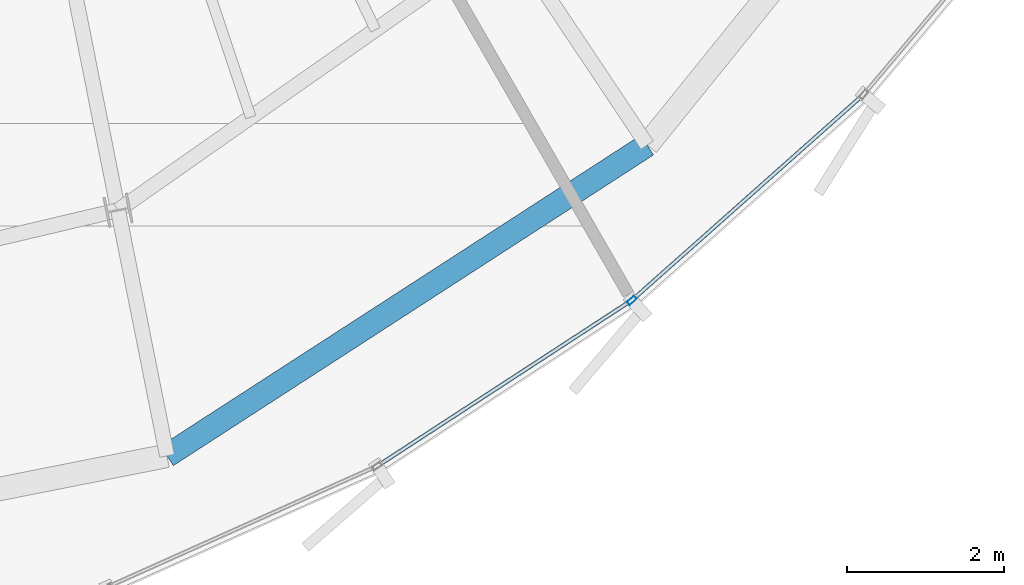
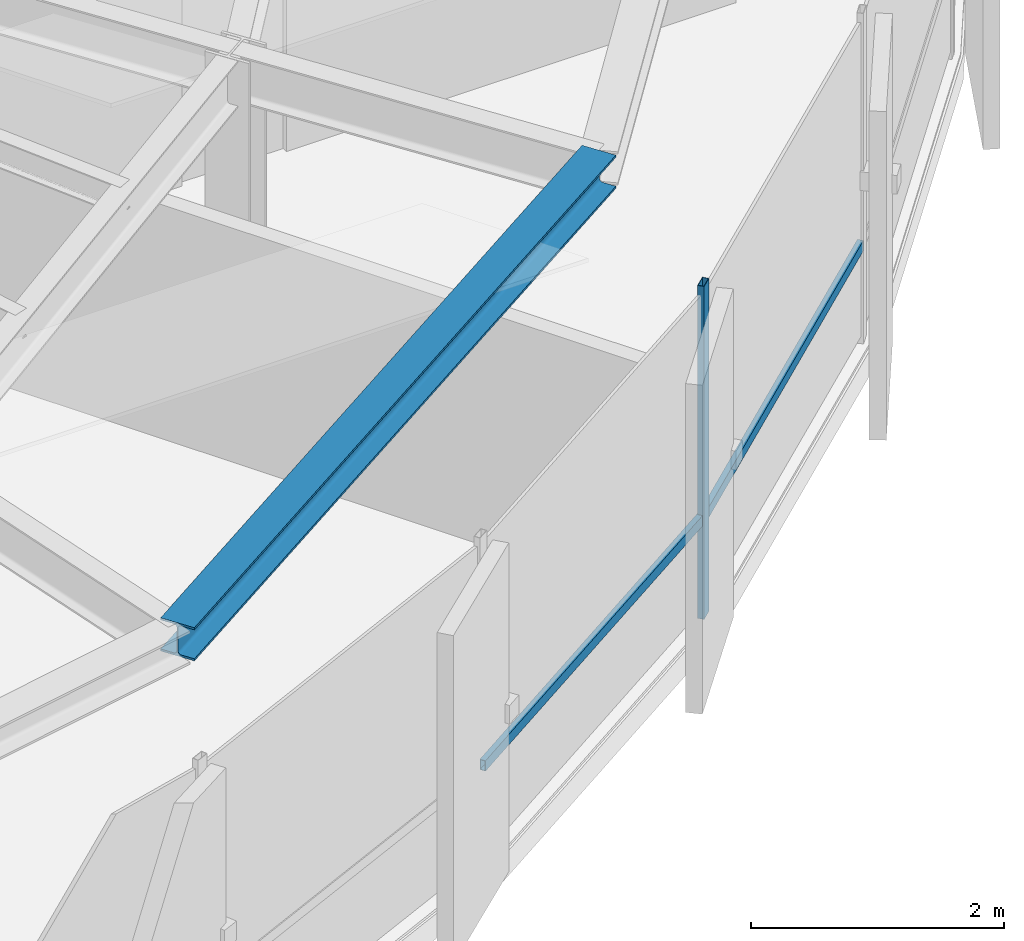
# One storey, part 7 of 32: 3 members, 1 beam, 1 element without a shape of its own.
"""IFC4 building model written with IfcOpenShell, lengths in metres."""

from ifc_helpers import new_model, si_unit, direction, frame, origin, origin_2d, place, context, subcontext, project, spatial, hollow_rectangle, i_section, extrude, source, transform, mapped, material, layer, layer_set, material_profile, profile_set, type_object, element, aggregate, save


model = new_model("IFC4")

# Units and contexts
model_context = context("Model", 3, precision=1e-05, world=origin(), true_north=direction((0.0, 1.0)))
body_context = subcontext(model_context, "Body", "Model", "MODEL_VIEW")
ifc_project = project(units=[si_unit("LENGTHUNIT", "METRE"), si_unit("AREAUNIT", "SQUARE_METRE"), si_unit("VOLUMEUNIT", "CUBIC_METRE"), si_unit("PLANEANGLEUNIT", "RADIAN"), si_unit("MASSUNIT", "GRAM", prefix="KILO"), si_unit("THERMODYNAMICTEMPERATUREUNIT", "KELVIN")], contexts=[model_context])

# Site, building, storey
site_placement = place(None, origin())
site = spatial("IfcSite", under=ifc_project, at=site_placement, CompositionType="ELEMENT")
building_placement = place(site_placement, origin())
building = spatial("IfcBuilding", under=site, at=building_placement, Name="Kethvar Cultural Tower", CompositionType="ELEMENT")
storey_placement = place(building_placement, frame((0.0, 0.0, 252.550048828125)))
storey = spatial("IfcBuildingStorey", under=building, at=storey_placement, Name="L66", CompositionType="ELEMENT", Elevation=252.550048828125)

# Beam
ifc_material_1 = material(Name="Steel S355J2", Category="steel")
ifc_material_profile_1 = material_profile(ifc_material_1, i_section(OverallWidth=0.300048828125, OverallDepth=0.320068359375, WebThickness=0.011474609375, FlangeThickness=0.0205078125, FilletRadius=0.027099609375, at=origin_2d()), Name="Steel S355J2 — HEB320")
ifc_profile_set_1 = profile_set([ifc_material_profile_1], Name="Steel S355J2 — HEB320")
beam_type = type_object("IfcBeamType", Name="BM-SP320", PredefinedType="SPANDREL", material=ifc_profile_set_1)
shared_shape_1 = source(origin(), body_context, "Body", "SweptSolid", [
    extrude(i_section(OverallWidth=0.300048828125, OverallDepth=0.320068359375, WebThickness=0.011474609375, FlangeThickness=0.0205078125, FilletRadius=0.027099609375, at=origin_2d()), origin(), (0.0, 0.0, 1.0), 7.309326171875),
])
beam_placement = place(storey_placement, frame((50.52587890625, 9.068359375, 3.0478515625), z_axis=(0.839562091992, 0.543263742292, 0.0), x_axis=(-0.543263742292, 0.839562091992, 0.0)))
element("IfcBeam", 1, at=beam_placement, inside=storey, type_object=beam_type, Name="L66 Perimeter Spandrel Beam SP-13", PredefinedType="SPANDREL", context=body_context, shape_type="MappedRepresentation", body=[
    mapped(shared_shape_1, transform((0.0, 0.0, 0.0), scale=1.0)),
])

# Curtain wall, members
ifc_material_2 = material(Name="Aluminium 6063-T6", Category="aluminium")
ifc_layer = layer(ifc_material_2, 0.179931640625, Name="Aluminium 6063-T6", Category="aluminium")
ifc_layer_set = layer_set([ifc_layer], Name="Aluminium 6063-T6 (180 mm)")
curtain_wall_type = type_object("IfcCurtainWallType", Name="CW-SYS-05-Z56", PredefinedType="NOTDEFINED", material=ifc_layer_set)
curtain_wall_placement = place(storey_placement, origin())
curtain_wall = element("IfcCurtainWall", 2, at=curtain_wall_placement, inside=storey, type_object=curtain_wall_type, Name="L66 Curtain Wall Run 05", PredefinedType="NOTDEFINED")
ifc_material_profile_2 = material_profile(ifc_material_2, hollow_rectangle(XDim=0.054931640625, YDim=0.1201171875, WallThickness=0.00390625, at=origin_2d()), Name="Aluminium 6063-T6 — RHS120x55x4")
ifc_profile_set_2 = profile_set([ifc_material_profile_2], Name="Aluminium 6063-T6 — RHS120x55x4")
member_type_1 = type_object("IfcMemberType", Name="CW-SYS-05-Z56-MUL", PredefinedType="MULLION", material=ifc_profile_set_2)
shared_shape_2 = source(origin(), body_context, "Body", "SweptSolid", [
    extrude(hollow_rectangle(XDim=0.054931640625, YDim=0.1201171875, WallThickness=0.00390625, at=origin_2d()), origin(), (0.0, 0.0, 1.0), 3.2099609375),
])
member_1_placement = place(storey_placement, frame((56.46728515625, 11.055419921875, 0.0), z_axis=(0.0, 0.0, 1.0), x_axis=(-0.664069767343, 0.747670612035, 0.0)))
member_1 = element("IfcMember", 3, at=member_1_placement, type_object=member_type_1, Name="CW-L66-R05 Mullion 5", PredefinedType="MULLION", context=body_context, shape_type="MappedRepresentation", body=[
    mapped(shared_shape_2, transform((0.0, 0.0, 0.0), scale=1.0)),
])
ifc_material_profile_3 = material_profile(ifc_material_2, hollow_rectangle(XDim=0.050048828125, YDim=0.10009765625, WallThickness=0.00390625, at=origin_2d()), Name="Aluminium 6063-T6 — RHS100x50x4")
ifc_profile_set_3 = profile_set([ifc_material_profile_3], Name="Aluminium 6063-T6 — RHS100x50x4")
member_type_2 = type_object("IfcMemberType", Name="CW-SYS-05-Z56-TRN", PredefinedType="USERDEFINED", material=ifc_profile_set_3)
shared_shape_3 = source(origin(), body_context, "Body", "SweptSolid", [
    extrude(hollow_rectangle(XDim=0.050048828125, YDim=0.10009765625, WallThickness=0.00390625, at=origin_2d()), origin(), (0.0, 0.0, 1.0), 3.895263671875),
])
member_2_placement = place(storey_placement, frame((56.4970703125, 11.081787109375, 0.949951171875), z_axis=(0.7476444094, 0.664099267499, 0.0), x_axis=(-0.664099267499, 0.7476444094, 0.0)))
member_2 = element("IfcMember", 4, at=member_2_placement, type_object=member_type_2, Name="CW-L66-R05 Transom 5", ObjectType="TRANSOM", PredefinedType="USERDEFINED", context=body_context, shape_type="MappedRepresentation", body=[
    mapped(shared_shape_3, transform((0.0, 0.0, 0.0), scale=1.0)),
])
shared_shape_4 = source(origin(), body_context, "Body", "SweptSolid", [
    extrude(hollow_rectangle(XDim=0.050048828125, YDim=0.10009765625, WallThickness=0.00390625, at=origin_2d()), origin(), (0.0, 0.0, 1.0), 3.8203125),
])
member_3_placement = place(storey_placement, frame((53.2451171875, 8.957763671875, 0.949951171875), z_axis=(0.837892729539, 0.545834932728, 0.0), x_axis=(-0.545834932728, 0.837892729539, 0.0)))
member_3 = element("IfcMember", 5, at=member_3_placement, type_object=member_type_2, Name="CW-L66-R05 Transom 4", ObjectType="TRANSOM", PredefinedType="USERDEFINED", context=body_context, shape_type="MappedRepresentation", body=[
    mapped(shared_shape_4, transform((0.0, 0.0, 0.0), scale=1.0)),
])
aggregate(curtain_wall, [member_1, member_3, member_2])

save(model, "model.ifc")
